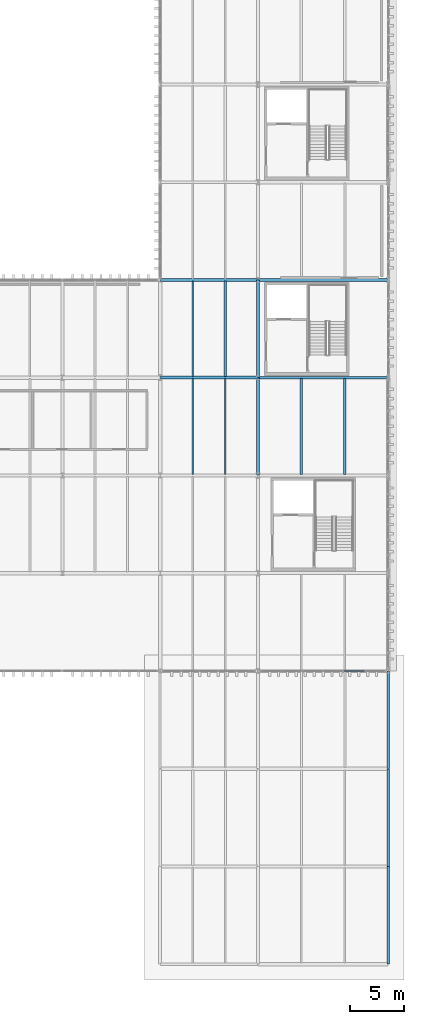
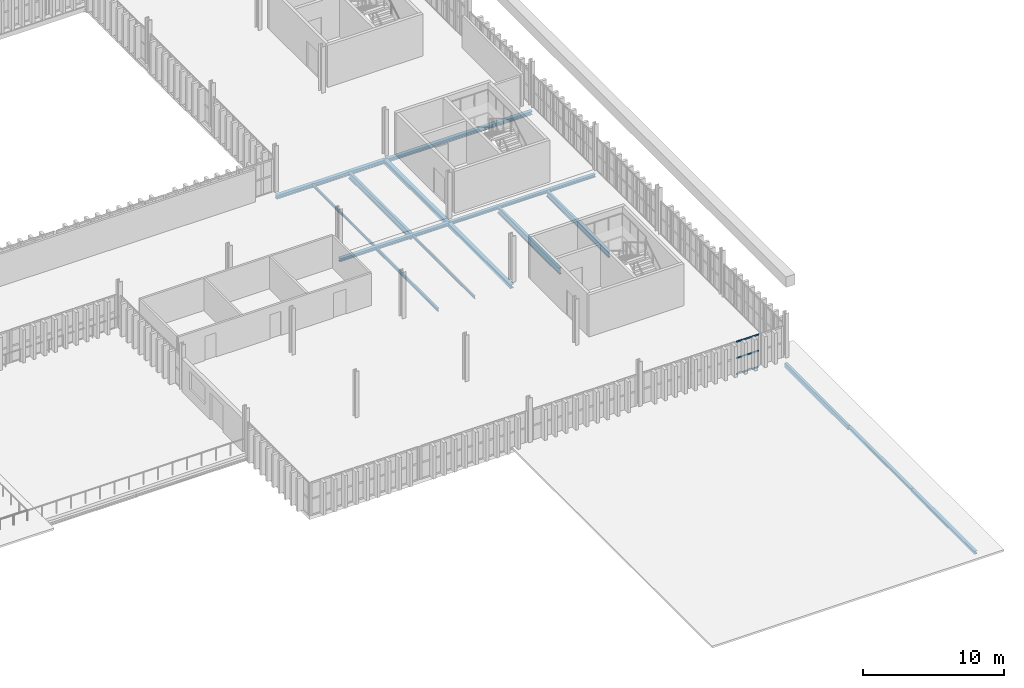
# One storey, part 48 of 102: 15 beams, 3 members, 1 element without a shape of its own.
"""IFC4 building model written with IfcOpenShell, lengths in metres."""

from ifc_helpers import new_model, si_unit, direction, frame, origin, origin_2d, place, context, subcontext, project, spatial, hollow_rectangle, i_section, extrude, material, layer, layer_set, material_profile, profile_set, type_object, element, aggregate, save


model = new_model("IFC4")

# Units and contexts
model_context = context("Model", 3, precision=1e-05, world=origin(), true_north=direction((0.0, 1.0)))
body_context = subcontext(model_context, "Body", "Model", "MODEL_VIEW")
ifc_project = project(units=[si_unit("LENGTHUNIT", "METRE"), si_unit("AREAUNIT", "SQUARE_METRE"), si_unit("VOLUMEUNIT", "CUBIC_METRE"), si_unit("PLANEANGLEUNIT", "RADIAN"), si_unit("MASSUNIT", "GRAM", prefix="KILO")], contexts=[model_context])

# Site, building, storey
site_placement = place(None, origin())
site = spatial("IfcSite", under=ifc_project, at=site_placement, CompositionType="ELEMENT")
building_placement = place(site_placement, origin())
building = spatial("IfcBuilding", under=site, at=building_placement, Name="Barlavento Convention Centre", CompositionType="ELEMENT")
storey_placement = place(building_placement, frame((0.0, 0.0, 22.800048828125)))
storey = spatial("IfcBuildingStorey", under=building, at=storey_placement, Name="L04", CompositionType="ELEMENT", Elevation=22.800048828125)

# Curtain wall, members
ifc_material_1 = material(Name="Powder-coated aluminium and Low-E glass", Category="aluminium")
ifc_layer = layer(ifc_material_1, 0.18505859375)
ifc_layer_set = layer_set([ifc_layer], Name="ARC-CW-CONF-L04")
curtain_wall_type = type_object("IfcCurtainWallType", Name="ARC-CW-CONF-L04", PredefinedType="NOTDEFINED", material=ifc_layer_set)
curtain_wall_placement = place(storey_placement, origin())
curtain_wall = element("IfcCurtainWall", 1, at=curtain_wall_placement, inside=storey, type_object=curtain_wall_type, Name="L04 unitised curtain wall CW09", PredefinedType="NOTDEFINED")
ifc_material_2 = material(Name="Powder-coated aluminium", Category="aluminium")
ifc_material_profile_1 = material_profile(ifc_material_2, hollow_rectangle(XDim=0.06005859375, YDim=0.1201171875, WallThickness=0.00390625, at=origin_2d()), Name="AL-TRAN 60x120x4")
ifc_profile_set_1 = profile_set([ifc_material_profile_1], Name="Powder-coated aluminium")
member_type = type_object("IfcMemberType", Name="ARC-CWT-60X120", PredefinedType="USERDEFINED", material=ifc_profile_set_1)
member_1_placement = place(storey_placement, frame((187.943359375, 27.0, 0.030029296875), z_axis=(1.0, 0.0, 0.0), x_axis=(0.0, 1.0, 0.0)))
member_1 = element("IfcMember", 2, at=member_1_placement, type_object=member_type, Name="CW09 transom 5.1", ObjectType="TRANSOM", PredefinedType="USERDEFINED", context=body_context, shape_type="SweptSolid", body=[
    extrude(hollow_rectangle(XDim=0.06005859375, YDim=0.1201171875, WallThickness=0.00390625, at=origin_2d()), origin(), (0.0, 0.0, 1.0), 1.853271484375),
])
member_2_placement = place(storey_placement, frame((187.943359375, 27.0, 1.425048828125), z_axis=(1.0, 0.0, 0.0), x_axis=(0.0, 1.0, 0.0)))
member_2 = element("IfcMember", 3, at=member_2_placement, type_object=member_type, Name="CW09 transom 5.2", ObjectType="TRANSOM", PredefinedType="USERDEFINED", context=body_context, shape_type="SweptSolid", body=[
    extrude(hollow_rectangle(XDim=0.06005859375, YDim=0.1201171875, WallThickness=0.00390625, at=origin_2d()), origin(), (0.0, 0.0, 1.0), 1.853271484375),
])
member_3_placement = place(storey_placement, frame((187.943359375, 27.0, 2.820068359375), z_axis=(1.0, 0.0, 0.0), x_axis=(0.0, 1.0, 0.0)))
member_3 = element("IfcMember", 4, at=member_3_placement, type_object=member_type, Name="CW09 transom 5.3", ObjectType="TRANSOM", PredefinedType="USERDEFINED", context=body_context, shape_type="SweptSolid", body=[
    extrude(hollow_rectangle(XDim=0.06005859375, YDim=0.1201171875, WallThickness=0.00390625, at=origin_2d()), origin(), (0.0, 0.0, 1.0), 1.853271484375),
])
aggregate(curtain_wall, [member_1, member_2, member_3])

# Beams
ifc_material_3 = material(Name="Steel S355", Category="steel")
ifc_material_profile_2 = material_profile(ifc_material_3, i_section(OverallWidth=0.110107421875, OverallDepth=0.219970703125, WebThickness=0.005859375, FlangeThickness=0.00927734375, FilletRadius=0.011962890625, at=origin_2d()), Name="IPE 220")
ifc_profile_set_2 = profile_set([ifc_material_profile_2], Name="Steel S355")
beam_type_1 = type_object("IfcBeamType", Name="STR-BM-JST-IPE220", PredefinedType="JOIST", material=ifc_profile_set_2)
beam_1_placement = place(storey_placement, frame((174.0, 54.094970703125, -0.469970703125), z_axis=(0.0, 1.0, 0.0), x_axis=(-1.0, 0.0, 0.0)))
element("IfcBeam", 5, at=beam_1_placement, inside=storey, type_object=beam_type_1, Name="L04 composite floor joist SJ10", PredefinedType="JOIST", context=body_context, shape_type="SweptSolid", body=[
    extrude(i_section(OverallWidth=0.110107421875, OverallDepth=0.219970703125, WebThickness=0.005859375, FlangeThickness=0.00927734375, FilletRadius=0.011962890625, at=origin_2d()), origin(), (0.0, 0.0, 1.0), 8.81005859375),
])
ifc_material_profile_3 = material_profile(ifc_material_3, i_section(OverallWidth=0.1201171875, OverallDepth=0.239990234375, WebThickness=0.006103515625, FlangeThickness=0.009765625, FilletRadius=0.014892578125, at=origin_2d()), Name="IPE 240")
ifc_profile_set_3 = profile_set([ifc_material_profile_3], Name="Steel S355")
beam_type_2 = type_object("IfcBeamType", Name="STR-BM-JST-IPE240", PredefinedType="JOIST", material=ifc_profile_set_3)
beam_2_placement = place(storey_placement, frame((177.0, 45.094970703125, -0.47998046875), z_axis=(0.0, 1.0, 0.0), x_axis=(-1.0, 0.0, 0.0)))
element("IfcBeam", 6, at=beam_2_placement, inside=storey, type_object=beam_type_2, Name="L04 composite floor joist SJ09", PredefinedType="JOIST", context=body_context, shape_type="SweptSolid", body=[
    extrude(i_section(OverallWidth=0.1201171875, OverallDepth=0.239990234375, WebThickness=0.006103515625, FlangeThickness=0.009765625, FilletRadius=0.014892578125, at=origin_2d()), origin(), (0.0, 0.0, 1.0), 8.81005859375),
])
ifc_material_profile_4 = material_profile(ifc_material_3, i_section(OverallWidth=0.135009765625, OverallDepth=0.27001953125, WebThickness=0.006591796875, FlangeThickness=0.01025390625, FilletRadius=0.014892578125, at=origin_2d()), Name="IPE 270")
ifc_profile_set_4 = profile_set([ifc_material_profile_4], Name="Steel S355")
beam_type_3 = type_object("IfcBeamType", Name="STR-BM-JST-IPE270", PredefinedType="JOIST", material=ifc_profile_set_4)
beam_3_placement = place(storey_placement, frame((174.0, 45.094970703125, -0.4951171875), z_axis=(0.0, 1.0, 0.0), x_axis=(-1.0, 0.0, 0.0)))
element("IfcBeam", 7, at=beam_3_placement, inside=storey, type_object=beam_type_3, Name="L04 composite floor joist SJ08", PredefinedType="JOIST", context=body_context, shape_type="SweptSolid", body=[
    extrude(i_section(OverallWidth=0.135009765625, OverallDepth=0.27001953125, WebThickness=0.006591796875, FlangeThickness=0.01025390625, FilletRadius=0.014892578125, at=origin_2d()), origin(), (0.0, 0.0, 1.0), 8.81005859375),
])
ifc_material_profile_5 = material_profile(ifc_material_3, i_section(OverallWidth=0.199951171875, OverallDepth=0.5, WebThickness=0.01025390625, FlangeThickness=0.01611328125, FilletRadius=0.02099609375, at=origin_2d()), Name="IPE 500")
ifc_profile_set_5 = profile_set([ifc_material_profile_5], Name="Steel S355")
beam_type_4 = type_object("IfcBeamType", Name="STR-BM-JST-IPE500", PredefinedType="JOIST", material=ifc_profile_set_5)
beam_4_placement = place(storey_placement, frame((188.0, 45.094970703125, -0.610107421875), z_axis=(0.0, 1.0, 0.0), x_axis=(-1.0, 0.0, 0.0)))
element("IfcBeam", 8, at=beam_4_placement, inside=storey, type_object=beam_type_4, Name="L04 composite floor joist SJ02", PredefinedType="JOIST", context=body_context, shape_type="SweptSolid", body=[
    extrude(i_section(OverallWidth=0.199951171875, OverallDepth=0.5, WebThickness=0.01025390625, FlangeThickness=0.01611328125, FilletRadius=0.02099609375, at=origin_2d()), origin(), (0.0, 0.0, 1.0), 8.81005859375),
])
ifc_material_profile_6 = material_profile(ifc_material_3, i_section(OverallWidth=0.2099609375, OverallDepth=0.550048828125, WebThickness=0.010986328125, FlangeThickness=0.01708984375, FilletRadius=0.02392578125, at=origin_2d()), Name="IPE 550")
ifc_profile_set_6 = profile_set([ifc_material_profile_6], Name="Steel S355")
beam_type_5 = type_object("IfcBeamType", Name="STR-BM-JST-IPE550", PredefinedType="JOIST", material=ifc_profile_set_6)
for number, where, z_axis, x_axis, name in (
    (9, (184.0, 45.094970703125, -0.635009765625), (0.0, 1.0, 0.0), (-1.0, 0.0, 0.0), "L04 composite floor joist SJ01"),
    (10, (177.0, 54.094970703125, -0.635009765625), (0.0, 1.0, 0.0), (-1.0, 0.0, 0.0), "L04 composite floor joist SJ01"),
):
    element("IfcBeam", number, at=place(storey_placement, frame(where, z_axis=z_axis, x_axis=x_axis)), inside=storey, type_object=beam_type_5, Name=name, PredefinedType="JOIST", context=body_context, shape_type="SweptSolid", body=[
        extrude(i_section(OverallWidth=0.2099609375, OverallDepth=0.550048828125, WebThickness=0.010986328125, FlangeThickness=0.01708984375, FilletRadius=0.02392578125, at=origin_2d()), origin(), (0.0, 0.0, 1.0), 8.81005859375),
    ])
ifc_material_profile_7 = material_profile(ifc_material_3, i_section(OverallWidth=0.300048828125, OverallDepth=0.330078125, WebThickness=0.009521484375, FlangeThickness=0.0166015625, FilletRadius=0.027099609375, at=origin_2d()), Name="HEA 340")
ifc_profile_set_7 = profile_set([ifc_material_profile_7], Name="Steel S355")
beam_type_6 = type_object("IfcBeamType", Name="STR-BM-PRI-HEA340", PredefinedType="BEAM", material=ifc_profile_set_7)
beam_5_placement = place(storey_placement, frame((180.0, 45.02001953125, -0.525146484375), z_axis=(0.0, 1.0, 0.0), x_axis=(-1.0, 0.0, 0.0)))
element("IfcBeam", 11, at=beam_5_placement, inside=storey, type_object=beam_type_6, Name="L04 grid girder BG24", PredefinedType="BEAM", context=body_context, shape_type="SweptSolid", body=[
    extrude(i_section(OverallWidth=0.300048828125, OverallDepth=0.330078125, WebThickness=0.009521484375, FlangeThickness=0.0166015625, FilletRadius=0.027099609375, at=origin_2d()), origin(), (0.0, 0.0, 1.0), 8.9599609375),
])
ifc_material_profile_8 = material_profile(ifc_material_3, i_section(OverallWidth=0.300048828125, OverallDepth=0.389892578125, WebThickness=0.010986328125, FlangeThickness=0.01904296875, FilletRadius=0.027099609375, at=origin_2d()), Name="HEA 400")
ifc_profile_set_8 = profile_set([ifc_material_profile_8], Name="Steel S355")
beam_type_7 = type_object("IfcBeamType", Name="STR-BM-PRI-HEA400", PredefinedType="BEAM", material=ifc_profile_set_8)
beam_6_placement = place(storey_placement, frame((180.0, 54.02001953125, -0.554931640625), z_axis=(0.0, 1.0, 0.0), x_axis=(-1.0, 0.0, 0.0)))
element("IfcBeam", 12, at=beam_6_placement, inside=storey, type_object=beam_type_7, Name="L04 grid girder BG22", PredefinedType="BEAM", context=body_context, shape_type="SweptSolid", body=[
    extrude(i_section(OverallWidth=0.300048828125, OverallDepth=0.389892578125, WebThickness=0.010986328125, FlangeThickness=0.01904296875, FilletRadius=0.027099609375, at=origin_2d()), origin(), (0.0, 0.0, 1.0), 8.9599609375),
])
ifc_material_profile_9 = material_profile(ifc_material_3, i_section(OverallWidth=0.260009765625, OverallDepth=0.260009765625, WebThickness=0.010009765625, FlangeThickness=0.017578125, FilletRadius=0.02392578125, at=origin_2d()), Name="HEB 260")
ifc_profile_set_9 = profile_set([ifc_material_profile_9], Name="Steel S355")
beam_type_8 = type_object("IfcBeamType", Name="STR-BM-PRI-HEB260", PredefinedType="BEAM", material=ifc_profile_set_9)
beam_7_placement = place(storey_placement, frame((180.02001953125, 54.0, -0.489990234375), z_axis=(1.0, 0.0, 0.0), x_axis=(0.0, 1.0, 0.0)))
element("IfcBeam", 13, at=beam_7_placement, inside=storey, type_object=beam_type_8, Name="L04 primary girder BG16", PredefinedType="BEAM", context=body_context, shape_type="SweptSolid", body=[
    extrude(i_section(OverallWidth=0.260009765625, OverallDepth=0.260009765625, WebThickness=0.010009765625, FlangeThickness=0.017578125, FilletRadius=0.02392578125, at=origin_2d()), origin(), (0.0, 0.0, 1.0), 11.9599609375),
])
ifc_material_profile_10 = material_profile(ifc_material_3, i_section(OverallWidth=0.280029296875, OverallDepth=0.280029296875, WebThickness=0.010498046875, FlangeThickness=0.01806640625, FilletRadius=0.02392578125, at=origin_2d()), Name="HEB 280")
ifc_profile_set_10 = profile_set([ifc_material_profile_10], Name="Steel S355")
beam_type_9 = type_object("IfcBeamType", Name="STR-BM-PRI-HEB280", PredefinedType="BEAM", material=ifc_profile_set_10)
beam_8_placement = place(storey_placement, frame((171.02001953125, 54.0, -0.5), z_axis=(1.0, 0.0, 0.0), x_axis=(0.0, 1.0, 0.0)))
element("IfcBeam", 14, at=beam_8_placement, inside=storey, type_object=beam_type_9, Name="L04 primary girder BG15", PredefinedType="BEAM", context=body_context, shape_type="SweptSolid", body=[
    extrude(i_section(OverallWidth=0.280029296875, OverallDepth=0.280029296875, WebThickness=0.010498046875, FlangeThickness=0.01806640625, FilletRadius=0.02392578125, at=origin_2d()), origin(), (0.0, 0.0, 1.0), 8.9599609375),
])
ifc_material_profile_11 = material_profile(ifc_material_3, i_section(OverallWidth=0.300048828125, OverallDepth=0.300048828125, WebThickness=0.010986328125, FlangeThickness=0.01904296875, FilletRadius=0.027099609375, at=origin_2d()), Name="HEB 300")
ifc_profile_set_11 = profile_set([ifc_material_profile_11], Name="Steel S355")
beam_type_10 = type_object("IfcBeamType", Name="STR-BM-PRI-HEB300", PredefinedType="BEAM", material=ifc_profile_set_11)
beam_9_placement = place(storey_placement, frame((180.02001953125, 63.0, -0.510009765625), z_axis=(1.0, 0.0, 0.0), x_axis=(0.0, 1.0, 0.0)))
element("IfcBeam", 15, at=beam_9_placement, inside=storey, type_object=beam_type_10, Name="L04 primary girder BG14", PredefinedType="BEAM", context=body_context, shape_type="SweptSolid", body=[
    extrude(i_section(OverallWidth=0.300048828125, OverallDepth=0.300048828125, WebThickness=0.010986328125, FlangeThickness=0.01904296875, FilletRadius=0.027099609375, at=origin_2d()), origin(), (0.0, 0.0, 1.0), 11.9599609375),
])
ifc_material_profile_12 = material_profile(ifc_material_3, i_section(OverallWidth=0.300048828125, OverallDepth=0.320068359375, WebThickness=0.011474609375, FlangeThickness=0.0205078125, FilletRadius=0.027099609375, at=origin_2d()), Name="HEB 320")
ifc_profile_set_12 = profile_set([ifc_material_profile_12], Name="Steel S355")
beam_type_11 = type_object("IfcBeamType", Name="STR-BM-PRI-HEB320", PredefinedType="BEAM", material=ifc_profile_set_12)
beam_10_placement = place(storey_placement, frame((171.02001953125, 63.0, -0.52001953125), z_axis=(1.0, 0.0, 0.0), x_axis=(0.0, 1.0, 0.0)))
element("IfcBeam", 16, at=beam_10_placement, inside=storey, type_object=beam_type_11, Name="L04 primary girder BG13", PredefinedType="BEAM", context=body_context, shape_type="SweptSolid", body=[
    extrude(i_section(OverallWidth=0.300048828125, OverallDepth=0.320068359375, WebThickness=0.011474609375, FlangeThickness=0.0205078125, FilletRadius=0.027099609375, at=origin_2d()), origin(), (0.0, 0.0, 1.0), 8.9599609375),
])
ifc_material_profile_13 = material_profile(ifc_material_3, i_section(OverallWidth=0.239990234375, OverallDepth=0.22998046875, WebThickness=0.007568359375, FlangeThickness=0.011962890625, FilletRadius=0.02099609375, at=origin_2d()), Name="HEA 240")
ifc_profile_set_13 = profile_set([ifc_material_profile_13], Name="Steel S355")
beam_type_12 = type_object("IfcBeamType", Name="STR-BM-SPN-HEA240", PredefinedType="SPANDREL", material=ifc_profile_set_13)
beam_11_placement = place(storey_placement, frame((192.0, 9.02001953125, -0.47998046875), z_axis=(0.0, 1.0, 0.0), x_axis=(-1.0, 0.0, 0.0)))
element("IfcBeam", 17, at=beam_11_placement, inside=storey, type_object=beam_type_12, Name="L04 grid girder SP05", PredefinedType="SPANDREL", context=body_context, shape_type="SweptSolid", body=[
    extrude(i_section(OverallWidth=0.239990234375, OverallDepth=0.22998046875, WebThickness=0.007568359375, FlangeThickness=0.011962890625, FilletRadius=0.02099609375, at=origin_2d()), origin(), (0.0, 0.0, 1.0), 8.9599609375),
])
ifc_material_profile_14 = material_profile(ifc_material_3, i_section(OverallWidth=0.260009765625, OverallDepth=0.25, WebThickness=0.007568359375, FlangeThickness=0.012451171875, FilletRadius=0.02392578125, at=origin_2d()), Name="HEA 260")
ifc_profile_set_14 = profile_set([ifc_material_profile_14], Name="Steel S355")
beam_type_13 = type_object("IfcBeamType", Name="STR-BM-SPN-HEA260", PredefinedType="SPANDREL", material=ifc_profile_set_14)
beam_12_placement = place(storey_placement, frame((192.0, 0.02001953125, -0.489990234375), z_axis=(0.0, 1.0, 0.0), x_axis=(-1.0, 0.0, 0.0)))
element("IfcBeam", 18, at=beam_12_placement, inside=storey, type_object=beam_type_13, Name="L04 grid girder SP04", PredefinedType="SPANDREL", context=body_context, shape_type="SweptSolid", body=[
    extrude(i_section(OverallWidth=0.260009765625, OverallDepth=0.25, WebThickness=0.007568359375, FlangeThickness=0.012451171875, FilletRadius=0.02392578125, at=origin_2d()), origin(), (0.0, 0.0, 1.0), 8.9599609375),
])
ifc_material_profile_15 = material_profile(ifc_material_3, hollow_rectangle(XDim=0.199951171875, YDim=0.39990234375, WallThickness=0.01611328125, at=origin_2d()), Name="RHS 400x200x16.0")
ifc_profile_set_15 = profile_set([ifc_material_profile_15], Name="Steel S355")
beam_type_14 = type_object("IfcBeamType", Name="STR-BM-SPN-RHS400", PredefinedType="SPANDREL", material=ifc_profile_set_15)
beam_13_placement = place(storey_placement, frame((192.0, 18.02001953125, -0.56494140625), z_axis=(0.0, 1.0, 0.0), x_axis=(-1.0, 0.0, 0.0)))
element("IfcBeam", 19, at=beam_13_placement, inside=storey, type_object=beam_type_14, Name="L04 grid girder SP06", PredefinedType="SPANDREL", context=body_context, shape_type="SweptSolid", body=[
    extrude(hollow_rectangle(XDim=0.199951171875, YDim=0.39990234375, WallThickness=0.01611328125, at=origin_2d()), origin(), (0.0, 0.0, 1.0), 8.9599609375),
])

save(model, "model.ifc")
